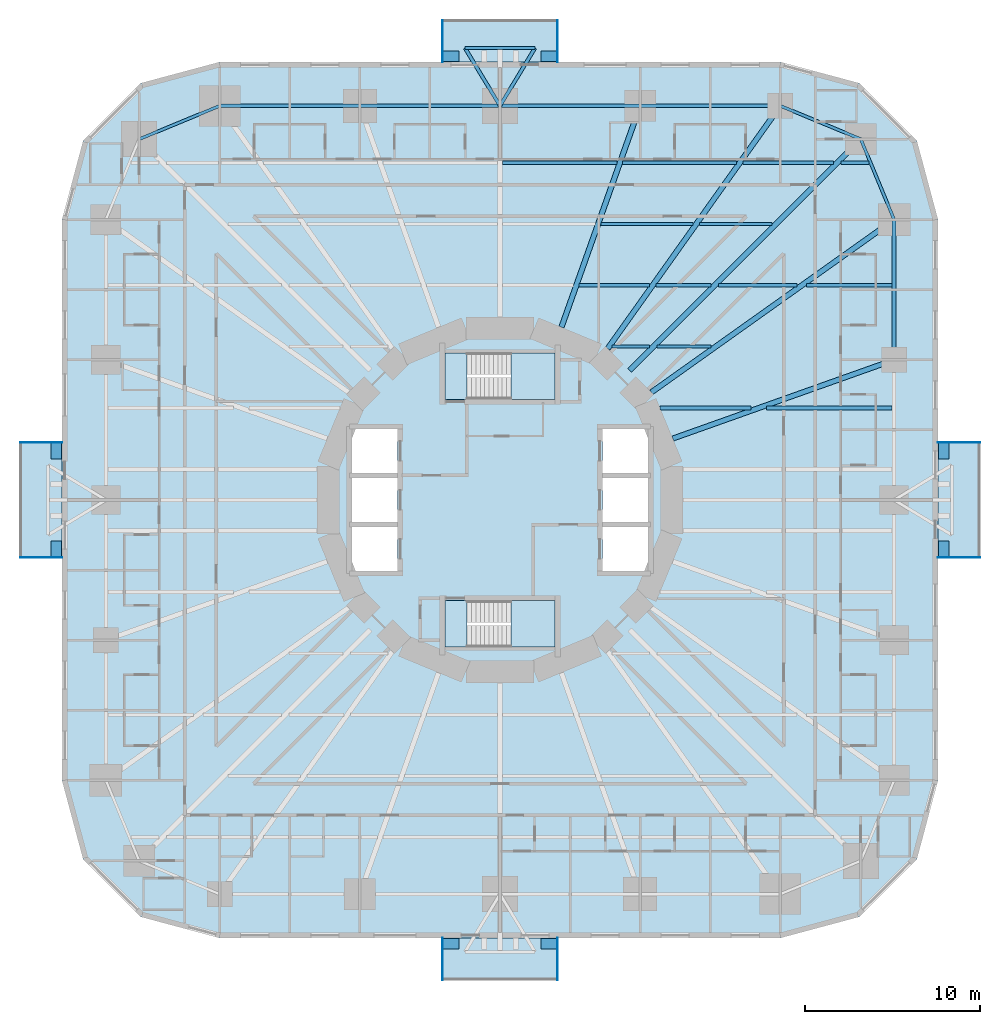
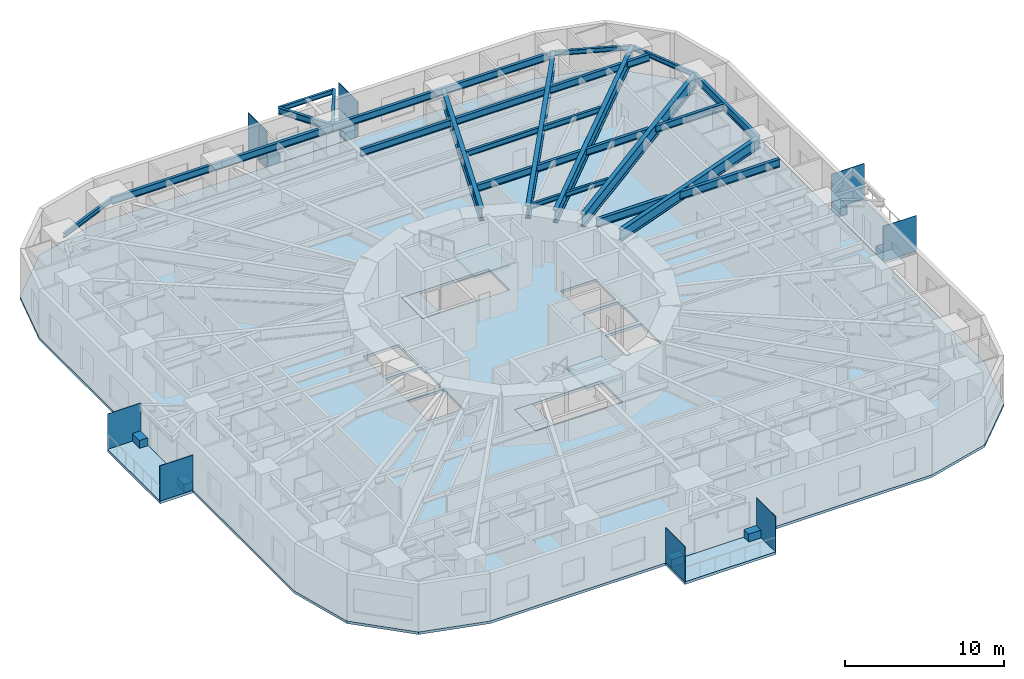
# One storey, part 3 of 14: 30 beams, 16 plates, 9 slabs, 2 elements without a shape of their own.
"""IFC4 building model written with IfcOpenShell, lengths in metres."""

from ifc_helpers import new_model, si_unit, direction, frame, origin, origin_2d, place, context, subcontext, project, spatial, polyline, rectangle, i_section, outline, extrude, material, layer, layer_set, material_profile, profile_set, type_object, element, aggregate, save


model = new_model("IFC4")

# Units and contexts
model_context = context("Model", 3, precision=1e-05, world=origin(), true_north=direction((0.0, 1.0)))
body_context = subcontext(model_context, "Body", "Model", "MODEL_VIEW")
ifc_project = project(units=[si_unit("LENGTHUNIT", "METRE"), si_unit("AREAUNIT", "SQUARE_METRE"), si_unit("VOLUMEUNIT", "CUBIC_METRE"), si_unit("PLANEANGLEUNIT", "RADIAN"), si_unit("MASSUNIT", "GRAM", prefix="KILO")], contexts=[model_context])

# Site, building, storey
site_placement = place(None, origin())
site = spatial("IfcSite", under=ifc_project, at=site_placement, CompositionType="ELEMENT")
building_placement = place(site_placement, origin())
building = spatial("IfcBuilding", under=site, at=building_placement, Name="Nakasero Lantern House", CompositionType="ELEMENT")
storey_placement = place(building_placement, frame((0.0, 0.0, 35.25)))
storey = spatial("IfcBuildingStorey", under=building, at=storey_placement, Name="L08", CompositionType="ELEMENT", Elevation=35.25)

# Beams
ifc_material_1 = material(Name="Steel S355", Category="steel")
ifc_material_profile_1 = material_profile(ifc_material_1, i_section(OverallWidth=0.199462890625, OverallDepth=0.491943359375, WebThickness=0.01806640625, FlangeThickness=0.031982421875, FilletRadius=0.01025390625, at=origin_2d()), Name="UB 457x191x161")
ifc_profile_set_1 = profile_set([ifc_material_profile_1], Name="Steel S355")
beam_type_1 = type_object("IfcBeamType", Name="Balcony splay beam UB 457x191x161", PredefinedType="BEAM", material=ifc_profile_set_1)
for number, where, z_axis, x_axis, name in (
    (1, (0.0, 22.5, 3.404052734375), (-0.518296107317, 0.855201230787, 0.0), (-0.855201230787, -0.518296107317, 0.0), "Balcony splay beam L09 B1-C09A"),
    (2, (0.0, 22.5, 3.404052734375), (0.518296107317, 0.855201230787, 0.0), (-0.855201230787, 0.518296107317, 0.0), "Balcony splay beam L09 B1-C09B"),
):
    element("IfcBeam", number, at=place(storey_placement, frame(where, z_axis=z_axis, x_axis=x_axis)), inside=storey, type_object=beam_type_1, Name=name, PredefinedType="BEAM", context=body_context, shape_type="SweptSolid", body=[
        extrude(i_section(OverallWidth=0.199462890625, OverallDepth=0.491943359375, WebThickness=0.01806640625, FlangeThickness=0.031982421875, FilletRadius=0.01025390625, at=origin_2d()), origin(), (0.0, 0.0, 1.0), 3.85888671875),
    ])
ifc_material_2 = material(Name="Steel S355", Category="steel")
ifc_material_profile_2 = material_profile(ifc_material_2, i_section(OverallWidth=0.17138671875, OverallDepth=0.35498046875, WebThickness=0.00732421875, FlangeThickness=0.011474609375, FilletRadius=0.01025390625, at=origin_2d()), Name="UB 356x171x51")
ifc_profile_set_2 = profile_set([ifc_material_profile_2], Name="Steel S355")
beam_type_2 = type_object("IfcBeamType", Name="Balcony tie beam UB 356x171x51", PredefinedType="BEAM", material=ifc_profile_set_2)
beam_1_placement = place(storey_placement, frame((-2.0, 25.800048828125, 3.472412109375), z_axis=(1.0, 0.0, 0.0), x_axis=(0.0, 1.0, 0.0)))
element("IfcBeam", 3, at=beam_1_placement, inside=storey, type_object=beam_type_2, Name="Balcony tie beam L09 B1-C09", PredefinedType="BEAM", context=body_context, shape_type="SweptSolid", body=[
    extrude(i_section(OverallWidth=0.17138671875, OverallDepth=0.35498046875, WebThickness=0.00732421875, FlangeThickness=0.011474609375, FilletRadius=0.01025390625, at=origin_2d()), origin(), (0.0, 0.0, 1.0), 4.0),
])
ifc_material_3 = material(Name="Steel S355", Category="steel")
ifc_material_profile_3 = material_profile(ifc_material_3, i_section(OverallWidth=0.17138671875, OverallDepth=0.35498046875, WebThickness=0.00732421875, FlangeThickness=0.011474609375, FilletRadius=0.01025390625, at=origin_2d()), Name="UB 356x171x51")
ifc_profile_set_3 = profile_set([ifc_material_profile_3], Name="Steel S355")
beam_type_3 = type_object("IfcBeamType", Name="Infill beam UB 356x171x51", PredefinedType="JOIST", material=ifc_profile_set_3)
beam_2_placement = place(storey_placement, frame((6.40625, 8.75, 3.472412109375), z_axis=(1.0, 0.0, 0.0), x_axis=(0.0, 1.0, 0.0)))
element("IfcBeam", 4, at=beam_2_placement, inside=storey, type_object=beam_type_3, Name="Infill beam L09 10.3", PredefinedType="JOIST", context=body_context, shape_type="SweptSolid", body=[
    extrude(i_section(OverallWidth=0.17138671875, OverallDepth=0.35498046875, WebThickness=0.00732421875, FlangeThickness=0.011474609375, FilletRadius=0.01025390625, at=origin_2d()), origin(), (0.0, 0.0, 1.0), 2.131591796875),
])
beam_3_placement = place(storey_placement, frame((8.962158203125, 8.75, 3.472412109375), z_axis=(1.0, 0.0, 0.0), x_axis=(0.0, 1.0, 0.0)))
element("IfcBeam", 5, at=beam_3_placement, inside=storey, type_object=beam_type_3, Name="Infill beam L09 10.4", PredefinedType="JOIST", context=body_context, shape_type="SweptSolid", body=[
    extrude(i_section(OverallWidth=0.17138671875, OverallDepth=0.35498046875, WebThickness=0.00732421875, FlangeThickness=0.011474609375, FilletRadius=0.01025390625, at=origin_2d()), origin(), (0.0, 0.0, 1.0), 3.083740234375),
])
ifc_material_4 = material(Name="Steel S355", Category="steel")
ifc_material_profile_4 = material_profile(ifc_material_4, i_section(OverallWidth=0.177978515625, OverallDepth=0.406494140625, WebThickness=0.0078125, FlangeThickness=0.0126953125, FilletRadius=0.01025390625, at=origin_2d()), Name="UB 406x178x60")
ifc_profile_set_4 = profile_set([ifc_material_profile_4], Name="Steel S355")
beam_type_4 = type_object("IfcBeamType", Name="Infill beam UB 406x178x60", PredefinedType="JOIST", material=ifc_profile_set_4)
beam_4_placement = place(storey_placement, frame((5.75927734375, 15.75, 3.44677734375), z_axis=(1.0, 0.0, 0.0), x_axis=(0.0, 1.0, 0.0)))
element("IfcBeam", 6, at=beam_4_placement, inside=storey, type_object=beam_type_4, Name="Infill beam L09 12.5", PredefinedType="JOIST", context=body_context, shape_type="SweptSolid", body=[
    extrude(i_section(OverallWidth=0.177978515625, OverallDepth=0.406494140625, WebThickness=0.0078125, FlangeThickness=0.0126953125, FilletRadius=0.01025390625, at=origin_2d()), origin(), (0.0, 0.0, 1.0), 5.256591796875),
])
beam_5_placement = place(storey_placement, frame((11.384033203125, 15.75, 3.44677734375), z_axis=(1.0, 0.0, 0.0), x_axis=(0.0, 1.0, 0.0)))
element("IfcBeam", 7, at=beam_5_placement, inside=storey, type_object=beam_type_4, Name="Infill beam L09 12.6", PredefinedType="JOIST", context=body_context, shape_type="SweptSolid", body=[
    extrude(i_section(OverallWidth=0.177978515625, OverallDepth=0.406494140625, WebThickness=0.0078125, FlangeThickness=0.0126953125, FilletRadius=0.01025390625, at=origin_2d()), origin(), (0.0, 0.0, 1.0), 4.15380859375),
])
ifc_material_5 = material(Name="Steel S355", Category="steel")
ifc_material_profile_5 = material_profile(ifc_material_5, i_section(OverallWidth=0.208740234375, OverallDepth=0.5283203125, WebThickness=0.009521484375, FlangeThickness=0.01318359375, FilletRadius=0.0126953125, at=origin_2d()), Name="UB 533x210x82")
ifc_profile_set_5 = profile_set([ifc_material_profile_5], Name="Steel S355")
beam_type_5 = type_object("IfcBeamType", Name="Infill beam UB 533x210x82", PredefinedType="JOIST", material=ifc_profile_set_5)
beam_6_placement = place(storey_placement, frame((4.5146484375, 12.25, 3.3857421875), z_axis=(1.0, 0.0, 0.0), x_axis=(0.0, 1.0, 0.0)))
element("IfcBeam", 8, at=beam_6_placement, inside=storey, type_object=beam_type_5, Name="Infill beam L09 11.7", PredefinedType="JOIST", context=body_context, shape_type="SweptSolid", body=[
    extrude(i_section(OverallWidth=0.208740234375, OverallDepth=0.5283203125, WebThickness=0.009521484375, FlangeThickness=0.01318359375, FilletRadius=0.0126953125, at=origin_2d()), origin(), (0.0, 0.0, 1.0), 4.012451171875),
])
beam_7_placement = place(storey_placement, frame((8.895263671875, 12.25, 3.3857421875), z_axis=(1.0, 0.0, 0.0), x_axis=(0.0, 1.0, 0.0)))
element("IfcBeam", 9, at=beam_7_placement, inside=storey, type_object=beam_type_5, Name="Infill beam L09 11.8", PredefinedType="JOIST", context=body_context, shape_type="SweptSolid", body=[
    extrude(i_section(OverallWidth=0.208740234375, OverallDepth=0.5283203125, WebThickness=0.009521484375, FlangeThickness=0.01318359375, FilletRadius=0.0126953125, at=origin_2d()), origin(), (0.0, 0.0, 1.0), 3.142578125),
])
beam_8_placement = place(storey_placement, frame((12.462158203125, 12.25, 3.3857421875), z_axis=(1.0, 0.0, 0.0), x_axis=(0.0, 1.0, 0.0)))
element("IfcBeam", 10, at=beam_8_placement, inside=storey, type_object=beam_type_5, Name="Infill beam L09 11.9", PredefinedType="JOIST", context=body_context, shape_type="SweptSolid", body=[
    extrude(i_section(OverallWidth=0.208740234375, OverallDepth=0.5283203125, WebThickness=0.009521484375, FlangeThickness=0.01318359375, FilletRadius=0.0126953125, at=origin_2d()), origin(), (0.0, 0.0, 1.0), 4.505615234375),
])
beam_9_placement = place(storey_placement, frame((17.4853515625, 12.25, 3.3857421875), z_axis=(1.0, 0.0, 0.0), x_axis=(0.0, 1.0, 0.0)))
element("IfcBeam", 11, at=beam_9_placement, inside=storey, type_object=beam_type_5, Name="Infill beam L09 11.10", PredefinedType="JOIST", context=body_context, shape_type="SweptSolid", body=[
    extrude(i_section(OverallWidth=0.208740234375, OverallDepth=0.5283203125, WebThickness=0.009521484375, FlangeThickness=0.01318359375, FilletRadius=0.0126953125, at=origin_2d()), origin(), (0.0, 0.0, 1.0), 4.900146484375),
])
beam_10_placement = place(storey_placement, frame((0.146240234375, 19.25, 3.3857421875), z_axis=(1.0, 0.0, 0.0), x_axis=(0.0, 1.0, 0.0)))
element("IfcBeam", 12, at=beam_10_placement, inside=storey, type_object=beam_type_5, Name="Infill beam L09 13.5", PredefinedType="JOIST", context=body_context, shape_type="SweptSolid", body=[
    extrude(i_section(OverallWidth=0.208740234375, OverallDepth=0.5283203125, WebThickness=0.009521484375, FlangeThickness=0.01318359375, FilletRadius=0.0126953125, at=origin_2d()), origin(), (0.0, 0.0, 1.0), 6.5390625),
])
beam_11_placement = place(storey_placement, frame((7.003662109375, 19.25, 3.3857421875), z_axis=(1.0, 0.0, 0.0), x_axis=(0.0, 1.0, 0.0)))
element("IfcBeam", 13, at=beam_11_placement, inside=storey, type_object=beam_type_5, Name="Infill beam L09 13.6", PredefinedType="JOIST", context=body_context, shape_type="SweptSolid", body=[
    extrude(i_section(OverallWidth=0.208740234375, OverallDepth=0.5283203125, WebThickness=0.009521484375, FlangeThickness=0.01318359375, FilletRadius=0.0126953125, at=origin_2d()), origin(), (0.0, 0.0, 1.0), 6.501220703125),
])
beam_12_placement = place(storey_placement, frame((13.873046875, 19.25, 3.3857421875), z_axis=(1.0, 0.0, 0.0), x_axis=(0.0, 1.0, 0.0)))
element("IfcBeam", 14, at=beam_12_placement, inside=storey, type_object=beam_type_5, Name="Infill beam L09 13.7", PredefinedType="JOIST", context=body_context, shape_type="SweptSolid", body=[
    extrude(i_section(OverallWidth=0.208740234375, OverallDepth=0.5283203125, WebThickness=0.009521484375, FlangeThickness=0.01318359375, FilletRadius=0.0126953125, at=origin_2d()), origin(), (0.0, 0.0, 1.0), 5.164794921875),
])
beam_13_placement = place(storey_placement, frame((19.462158203125, 19.25, 3.3857421875), z_axis=(1.0, 0.0, 0.0), x_axis=(0.0, 1.0, 0.0)))
element("IfcBeam", 15, at=beam_13_placement, inside=storey, type_object=beam_type_5, Name="Infill beam L09 13.8", PredefinedType="JOIST", context=body_context, shape_type="SweptSolid", body=[
    extrude(i_section(OverallWidth=0.208740234375, OverallDepth=0.5283203125, WebThickness=0.009521484375, FlangeThickness=0.01318359375, FilletRadius=0.0126953125, at=origin_2d()), origin(), (0.0, 0.0, 1.0), 1.598876953125),
])
ifc_material_6 = material(Name="Steel S355", Category="steel")
ifc_material_profile_6 = material_profile(ifc_material_6, i_section(OverallWidth=0.2275390625, OverallDepth=0.6025390625, WebThickness=0.010498046875, FlangeThickness=0.014892578125, FilletRadius=0.0126953125, at=origin_2d()), Name="UB 610x229x101")
ifc_profile_set_6 = profile_set([ifc_material_profile_6], Name="Steel S355")
beam_type_6 = type_object("IfcBeamType", Name="Infill beam UB 610x229x101", PredefinedType="JOIST", material=ifc_profile_set_6)
beam_14_placement = place(storey_placement, frame((9.144775390625, 5.25, 3.3486328125), z_axis=(1.0, 0.0, 0.0), x_axis=(0.0, 1.0, 0.0)))
element("IfcBeam", 16, at=beam_14_placement, inside=storey, type_object=beam_type_6, Name="Infill beam L09 09.3", PredefinedType="JOIST", context=body_context, shape_type="SweptSolid", body=[
    extrude(i_section(OverallWidth=0.2275390625, OverallDepth=0.6025390625, WebThickness=0.010498046875, FlangeThickness=0.014892578125, FilletRadius=0.0126953125, at=origin_2d()), origin(), (0.0, 0.0, 1.0), 5.184326171875),
])
beam_15_placement = place(storey_placement, frame((15.2021484375, 5.25, 3.3486328125), z_axis=(1.0, 0.0, 0.0), x_axis=(0.0, 1.0, 0.0)))
element("IfcBeam", 17, at=beam_15_placement, inside=storey, type_object=beam_type_6, Name="Infill beam L09 09.4", PredefinedType="JOIST", context=body_context, shape_type="SweptSolid", body=[
    extrude(i_section(OverallWidth=0.2275390625, OverallDepth=0.6025390625, WebThickness=0.010498046875, FlangeThickness=0.014892578125, FilletRadius=0.0126953125, at=origin_2d()), origin(), (0.0, 0.0, 1.0), 7.183349609375),
])
ifc_material_7 = material(Name="Steel S355", Category="steel")
ifc_material_profile_7 = material_profile(ifc_material_7, i_section(OverallWidth=0.300048828125, OverallDepth=0.97021484375, WebThickness=0.01611328125, FlangeThickness=0.02099609375, FilletRadius=0.030029296875, at=origin_2d()), Name="UB 1016x305x222")
ifc_profile_set_7 = profile_set([ifc_material_profile_7], Name="Steel S355")
beam_type_7 = type_object("IfcBeamType", Name="Primary beam UB 1016x305x222, span 12 to 15 m", PredefinedType="BEAM", material=ifc_profile_set_7)
beam_16_placement = place(storey_placement, frame((8.0, 22.5, 3.164794921875), z_axis=(-0.335010745293, -0.942214307118, 0.0), x_axis=(0.942214307118, -0.335010745293, 0.0)))
element("IfcBeam", 18, at=beam_16_placement, inside=storey, type_object=beam_type_7, Name="Primary beam L09 B1-C08", PredefinedType="BEAM", context=body_context, shape_type="SweptSolid", body=[
    extrude(i_section(OverallWidth=0.300048828125, OverallDepth=0.97021484375, WebThickness=0.01611328125, FlangeThickness=0.02099609375, FilletRadius=0.030029296875, at=origin_2d()), origin(), (0.0, 0.0, 1.0), 13.408447265625),
])
ifc_material_8 = material(Name="Steel S355", Category="steel")
ifc_material_profile_8 = material_profile(ifc_material_8, i_section(OverallWidth=0.300048828125, OverallDepth=0.989990234375, WebThickness=0.0166015625, FlangeThickness=0.031005859375, FilletRadius=0.030029296875, at=origin_2d()), Name="UB 1016x305x272")
ifc_profile_set_8 = profile_set([ifc_material_profile_8], Name="Steel S355")
beam_type_8 = type_object("IfcBeamType", Name="Primary beam UB 1016x305x272, span over 15 m", PredefinedType="BEAM", material=ifc_profile_set_8)
beam_17_placement = place(storey_placement, frame((22.5, 16.0, 3.155029296875), z_axis=(-0.814952159915, -0.579528236629, 0.0), x_axis=(0.579528236629, -0.814952159915, 0.0)))
element("IfcBeam", 19, at=beam_17_placement, inside=storey, type_object=beam_type_8, Name="Primary beam L09 B1-C05", PredefinedType="BEAM", context=body_context, shape_type="SweptSolid", body=[
    extrude(i_section(OverallWidth=0.300048828125, OverallDepth=0.989990234375, WebThickness=0.0166015625, FlangeThickness=0.031005859375, FilletRadius=0.030029296875, at=origin_2d()), origin(), (0.0, 0.0, 1.0), 17.003173828125),
])
beam_18_placement = place(storey_placement, frame((20.59619140625, 20.59619140625, 3.155029296875), z_axis=(-0.707106781187, -0.707106781187, 0.0), x_axis=(0.707106781187, -0.707106781187, 0.0)))
element("IfcBeam", 20, at=beam_18_placement, inside=storey, type_object=beam_type_8, Name="Primary beam L09 B1-C06", PredefinedType="BEAM", context=body_context, shape_type="SweptSolid", body=[
    extrude(i_section(OverallWidth=0.300048828125, OverallDepth=0.989990234375, WebThickness=0.0166015625, FlangeThickness=0.031005859375, FilletRadius=0.030029296875, at=origin_2d()), origin(), (0.0, 0.0, 1.0), 18.669677734375),
])
ifc_material_9 = material(Name="Steel S355", Category="steel")
ifc_material_profile_9 = material_profile(ifc_material_9, i_section(OverallWidth=0.300048828125, OverallDepth=1.0, WebThickness=0.01904296875, FlangeThickness=0.035888671875, FilletRadius=0.030029296875, at=origin_2d()), Name="UB 1016x305x314")
ifc_profile_set_9 = profile_set([ifc_material_profile_9], Name="Steel S355")
beam_type_9 = type_object("IfcBeamType", Name="Primary beam UB 1016x305x314, span over 15 m", PredefinedType="BEAM", material=ifc_profile_set_9)
beam_19_placement = place(storey_placement, frame((16.0, 22.5, 3.150146484375), z_axis=(-0.579528236629, -0.814952159915, 0.0), x_axis=(0.814952159915, -0.579528236629, 0.0)))
element("IfcBeam", 21, at=beam_19_placement, inside=storey, type_object=beam_type_9, Name="Primary beam L09 B1-C07", PredefinedType="BEAM", context=body_context, shape_type="SweptSolid", body=[
    extrude(i_section(OverallWidth=0.300048828125, OverallDepth=1.0, WebThickness=0.01904296875, FlangeThickness=0.035888671875, FilletRadius=0.030029296875, at=origin_2d()), origin(), (0.0, 0.0, 1.0), 17.003173828125),
])
ifc_material_10 = material(Name="Steel S355", Category="steel")
ifc_material_profile_10 = material_profile(ifc_material_10, i_section(OverallWidth=0.29248046875, OverallDepth=0.8408203125, WebThickness=0.0146484375, FlangeThickness=0.02685546875, FilletRadius=0.017822265625, at=origin_2d()), Name="UB 838x292x194")
ifc_profile_set_10 = profile_set([ifc_material_profile_10], Name="Steel S355")
beam_type_10 = type_object("IfcBeamType", Name="Primary beam UB 838x292x194, span 12 to 15 m", PredefinedType="BEAM", material=ifc_profile_set_10)
beam_20_placement = place(storey_placement, frame((22.5, 8.0, 3.229736328125), z_axis=(-0.942214307118, -0.335010745293, 0.0), x_axis=(0.335010745293, -0.942214307118, 0.0)))
element("IfcBeam", 22, at=beam_20_placement, inside=storey, type_object=beam_type_10, Name="Primary beam L09 B1-C04", PredefinedType="BEAM", context=body_context, shape_type="SweptSolid", body=[
    extrude(i_section(OverallWidth=0.29248046875, OverallDepth=0.8408203125, WebThickness=0.0146484375, FlangeThickness=0.02685546875, FilletRadius=0.017822265625, at=origin_2d()), origin(), (0.0, 0.0, 1.0), 13.408447265625),
])
ifc_material_11 = material(Name="Steel S355", Category="steel")
ifc_material_profile_11 = material_profile(ifc_material_11, i_section(OverallWidth=0.17138671875, OverallDepth=0.35498046875, WebThickness=0.00732421875, FlangeThickness=0.011474609375, FilletRadius=0.01025390625, at=origin_2d()), Name="UB 356x171x51")
ifc_profile_set_11 = profile_set([ifc_material_profile_11], Name="Steel S355")
beam_type_11 = type_object("IfcBeamType", Name="Ring beam UB 356x171x51", PredefinedType="BEAM", material=ifc_profile_set_11)
for number, where, z_axis, x_axis, name in (
    (23, (22.5, 16.0, 3.472412109375), (-0.382684080569, 0.923879264016, 0.0), (-0.923879264016, -0.382684080569, 0.0), "Ring beam L09 B1-C05"),
    (24, (20.59619140625, 20.59619140625, 3.472412109375), (-0.923879264016, 0.382684080569, 0.0), (-0.382684080569, -0.923879264016, 0.0), "Ring beam L09 B1-C06"),
    (25, (-16.0, 22.5, 3.472412109375), (-0.923879264016, -0.382684080569, 0.0), (0.382684080569, -0.923879264016, 0.0), "Ring beam L09 B1-C11"),
):
    element("IfcBeam", number, at=place(storey_placement, frame(where, z_axis=z_axis, x_axis=x_axis)), inside=storey, type_object=beam_type_11, Name=name, PredefinedType="BEAM", context=body_context, shape_type="SweptSolid", body=[
        extrude(i_section(OverallWidth=0.17138671875, OverallDepth=0.35498046875, WebThickness=0.00732421875, FlangeThickness=0.011474609375, FilletRadius=0.01025390625, at=origin_2d()), origin(), (0.0, 0.0, 1.0), 4.974853515625),
    ])
ifc_material_12 = material(Name="Steel S355", Category="steel")
ifc_material_profile_12 = material_profile(ifc_material_12, i_section(OverallWidth=0.2099609375, OverallDepth=0.53662109375, WebThickness=0.0107421875, FlangeThickness=0.017333984375, FilletRadius=0.0126953125, at=origin_2d()), Name="UB 533x210x101")
ifc_profile_set_12 = profile_set([ifc_material_profile_12], Name="Steel S355")
beam_type_12 = type_object("IfcBeamType", Name="Ring beam UB 533x210x101", PredefinedType="BEAM", material=ifc_profile_set_12)
for number, where, z_axis, x_axis, name in (
    (26, (16.0, 22.5, 3.381591796875), (-1.0, 0.0, 0.0), (0.0, -1.0, 0.0), "Ring beam L09 B1-C07"),
    (27, (8.0, 22.5, 3.381591796875), (-1.0, 0.0, 0.0), (0.0, -1.0, 0.0), "Ring beam L09 B1-C08"),
    (28, (0.0, 22.5, 3.381591796875), (-1.0, 0.0, 0.0), (0.0, -1.0, 0.0), "Ring beam L09 B1-C09"),
    (29, (-8.0, 22.5, 3.381591796875), (-1.0, 0.0, 0.0), (0.0, -1.0, 0.0), "Ring beam L09 B1-C10"),
):
    element("IfcBeam", number, at=place(storey_placement, frame(where, z_axis=z_axis, x_axis=x_axis)), inside=storey, type_object=beam_type_12, Name=name, PredefinedType="BEAM", context=body_context, shape_type="SweptSolid", body=[
        extrude(i_section(OverallWidth=0.2099609375, OverallDepth=0.53662109375, WebThickness=0.0107421875, FlangeThickness=0.017333984375, FilletRadius=0.0126953125, at=origin_2d()), origin(), (0.0, 0.0, 1.0), 8.0),
    ])
ifc_material_13 = material(Name="Steel S355", Category="steel")
ifc_material_profile_13 = material_profile(ifc_material_13, i_section(OverallWidth=0.22900390625, OverallDepth=0.6123046875, WebThickness=0.011962890625, FlangeThickness=0.01953125, FilletRadius=0.0126953125, at=origin_2d()), Name="UB 610x229x125")
ifc_profile_set_13 = profile_set([ifc_material_profile_13], Name="Steel S355")
beam_type_13 = type_object("IfcBeamType", Name="Ring beam UB 610x229x125", PredefinedType="BEAM", material=ifc_profile_set_13)
beam_21_placement = place(storey_placement, frame((22.5, 8.0, 3.343994140625), z_axis=(0.0, 1.0, 0.0), x_axis=(-1.0, 0.0, 0.0)))
element("IfcBeam", 30, at=beam_21_placement, inside=storey, type_object=beam_type_13, Name="Ring beam L09 B1-C04", PredefinedType="BEAM", context=body_context, shape_type="SweptSolid", body=[
    extrude(i_section(OverallWidth=0.22900390625, OverallDepth=0.6123046875, WebThickness=0.011962890625, FlangeThickness=0.01953125, FilletRadius=0.0126953125, at=origin_2d()), origin(), (0.0, 0.0, 1.0), 8.0),
])

# Plates
ifc_material_14 = material(Name="Aluminium 6063-T6", Category="aluminium")
ifc_layer_1 = layer(ifc_material_14, 0.60009765625)
ifc_layer_set_1 = layer_set([ifc_layer_1], Name="Balcony planter 600x900")
plate_type_1 = type_object("IfcPlateType", Name="Balcony planter 600x900", PredefinedType="USERDEFINED", material=ifc_layer_set_1)
for number, where, z_axis, x_axis, name in (
    (31, (25.320068359375, -2.7900390625, 0.0), (0.0, 0.0, 1.0), (1.0, 0.0, 0.0), "Balcony PLANTER L08 BAL0A"),
    (32, (25.320068359375, 2.7900390625, 0.0), (0.0, 0.0, 1.0), (1.0, 0.0, 0.0), "Balcony PLANTER L08 BAL0B"),
    (33, (2.7900390625, 25.320068359375, 0.0), (0.0, 0.0, 1.0), (0.0, 1.0, 0.0), "Balcony PLANTER L08 BAL1A"),
    (34, (-2.7900390625, 25.320068359375, 0.0), (0.0, 0.0, 1.0), (0.0, 1.0, 0.0), "Balcony PLANTER L08 BAL1B"),
    (35, (-25.320068359375, 2.7900390625, 0.0), (0.0, 0.0, 1.0), (-1.0, 0.0, 0.0), "Balcony PLANTER L08 BAL2A"),
    (36, (-25.320068359375, -2.7900390625, 0.0), (0.0, 0.0, 1.0), (-1.0, 0.0, 0.0), "Balcony PLANTER L08 BAL2B"),
    (37, (-2.7900390625, -25.320068359375, 0.0), (0.0, 0.0, 1.0), (0.0, -1.0, 0.0), "Balcony PLANTER L08 BAL3A"),
    (38, (2.7900390625, -25.320068359375, 0.0), (0.0, 0.0, 1.0), (0.0, -1.0, 0.0), "Balcony PLANTER L08 BAL3B"),
):
    element("IfcPlate", number, at=place(storey_placement, frame(where, z_axis=z_axis, x_axis=x_axis)), inside=storey, type_object=plate_type_1, Name=name, ObjectType="PLANTER", PredefinedType="USERDEFINED", context=body_context, shape_type="SweptSolid", body=[
        extrude(rectangle(XDim=0.60009765625, YDim=0.89990234375, at=origin_2d()), origin(), (0.0, 0.0, 1.0), 0.60009765625),
    ])
ifc_material_15 = material(Name="Aluminium 6063-T6", Category="aluminium")
ifc_layer_2 = layer(ifc_material_15, 0.0400390625)
ifc_layer_set_2 = layer_set([ifc_layer_2], Name="Balcony screen 2400x2700")
plate_type_2 = type_object("IfcPlateType", Name="Balcony screen 2400x2700", PredefinedType="SHEET", material=ifc_layer_set_2)
for number, where, z_axis, x_axis, name in (
    (39, (26.199951171875, -3.280029296875, 0.0), (0.0, 0.0, 1.0), (1.0, 0.0, 0.0), "Balcony SCREEN L08 BAL0A"),
    (40, (26.199951171875, 3.280029296875, 0.0), (0.0, 0.0, 1.0), (1.0, 0.0, 0.0), "Balcony SCREEN L08 BAL0B"),
    (41, (3.280029296875, 26.199951171875, 0.0), (0.0, 0.0, 1.0), (0.0, 1.0, 0.0), "Balcony SCREEN L08 BAL1A"),
    (42, (-3.280029296875, 26.199951171875, 0.0), (0.0, 0.0, 1.0), (0.0, 1.0, 0.0), "Balcony SCREEN L08 BAL1B"),
    (43, (-26.199951171875, 3.280029296875, 0.0), (0.0, 0.0, 1.0), (-1.0, 0.0, 0.0), "Balcony SCREEN L08 BAL2A"),
    (44, (-26.199951171875, -3.280029296875, 0.0), (0.0, 0.0, 1.0), (-1.0, 0.0, 0.0), "Balcony SCREEN L08 BAL2B"),
    (45, (-3.280029296875, -26.199951171875, 0.0), (0.0, 0.0, 1.0), (0.0, -1.0, 0.0), "Balcony SCREEN L08 BAL3A"),
    (46, (3.280029296875, -26.199951171875, 0.0), (0.0, 0.0, 1.0), (0.0, -1.0, 0.0), "Balcony SCREEN L08 BAL3B"),
):
    element("IfcPlate", number, at=place(storey_placement, frame(where, z_axis=z_axis, x_axis=x_axis)), inside=storey, type_object=plate_type_2, Name=name, PredefinedType="SHEET", context=body_context, shape_type="SweptSolid", body=[
        extrude(rectangle(XDim=2.39990234375, YDim=0.0400390625, at=origin_2d()), origin(), (0.0, 0.0, 1.0), 2.699951171875),
    ])

# Slabs
ifc_material_16 = material(Name="Concrete C35/45", Category="concrete")
ifc_layer_3 = layer(ifc_material_16, 0.199951171875)
ifc_layer_set_3 = layer_set([ifc_layer_3], Name="Balcony slab 200")
slab_type_1 = type_object("IfcSlabType", Name="Balcony slab 200", PredefinedType="USERDEFINED", material=ifc_layer_set_3)
slab_1_placement = place(storey_placement, frame((0.0, 0.0, -0.199951171875)))
element("IfcSlab", 47, at=slab_1_placement, inside=storey, type_object=slab_type_1, Name="Balcony L08 BAL0", ObjectType="BALCONY", PredefinedType="USERDEFINED", context=body_context, shape_type="SweptSolid", body=[
    extrude(outline(polyline([(25.0, -3.300048828125), (27.39990234375, -3.300048828125), (27.39990234375, 3.300048828125), (25.0, 3.300048828125), (25.0, -3.300048828125)])), origin(), (0.0, 0.0, 1.0), 0.199951171875),
])
slab_2_placement = place(storey_placement, frame((0.0, 0.0, -0.199951171875)))
element("IfcSlab", 48, at=slab_2_placement, inside=storey, type_object=slab_type_1, Name="Balcony L08 BAL1", ObjectType="BALCONY", PredefinedType="USERDEFINED", context=body_context, shape_type="SweptSolid", body=[
    extrude(outline(polyline([(3.300048828125, 25.0), (3.300048828125, 27.39990234375), (-3.300048828125, 27.39990234375), (-3.300048828125, 25.0), (3.300048828125, 25.0)])), origin(), (0.0, 0.0, 1.0), 0.199951171875),
])
slab_3_placement = place(storey_placement, frame((0.0, 0.0, -0.199951171875)))
element("IfcSlab", 49, at=slab_3_placement, inside=storey, type_object=slab_type_1, Name="Balcony L08 BAL2", ObjectType="BALCONY", PredefinedType="USERDEFINED", context=body_context, shape_type="SweptSolid", body=[
    extrude(outline(polyline([(-25.0, 3.300048828125), (-27.39990234375, 3.300048828125), (-27.39990234375, -3.300048828125), (-25.0, -3.300048828125), (-25.0, 3.300048828125)])), origin(), (0.0, 0.0, 1.0), 0.199951171875),
])
slab_4_placement = place(storey_placement, frame((0.0, 0.0, -0.199951171875)))
element("IfcSlab", 50, at=slab_4_placement, inside=storey, type_object=slab_type_1, Name="Balcony L08 BAL3", ObjectType="BALCONY", PredefinedType="USERDEFINED", context=body_context, shape_type="SweptSolid", body=[
    extrude(outline(polyline([(-3.300048828125, -25.0), (-3.300048828125, -27.39990234375), (3.300048828125, -27.39990234375), (3.300048828125, -25.0), (-3.300048828125, -25.0)])), origin(), (0.0, 0.0, 1.0), 0.199951171875),
])
ifc_material_17 = material(Name="Concrete C35/45", Category="concrete")
ifc_layer_4 = layer(ifc_material_17, 0.199951171875)
ifc_layer_set_4 = layer_set([ifc_layer_4], Name="Composite floor slab 200")
slab_type_2 = type_object("IfcSlabType", Name="Composite floor slab 200", PredefinedType="FLOOR", material=ifc_layer_set_4)
slab_5_placement = place(storey_placement, frame((0.0, 0.0, -0.199951171875)))
element("IfcSlab", 51, at=slab_5_placement, inside=storey, type_object=slab_type_2, Name="Floor slab L08", PredefinedType="FLOOR", context=body_context, shape_type="SweptSolid", body=[
    extrude(outline(polyline([(25.0, 16.0), (23.794189453125, 20.5), (20.5, 23.794189453125), (16.0, 25.0), (-16.0, 25.0), (-20.5, 23.794189453125), (-23.794189453125, 20.5), (-25.0, 16.0), (-25.0, -16.0), (-23.794189453125, -20.5), (-20.5, -23.794189453125), (-16.0, -25.0), (16.0, -25.0), (20.5, -23.794189453125), (23.794189453125, -20.5), (25.0, -16.0), (25.0, 16.0)]), holes=[polyline([(-8.449951171875, -4.050048828125), (-5.85009765625, -4.050048828125), (-5.85009765625, -1.550048828125), (-8.449951171875, -1.550048828125), (-8.449951171875, -4.050048828125)]), polyline([(-8.449951171875, -1.25), (-5.85009765625, -1.25), (-5.85009765625, 1.25), (-8.449951171875, 1.25), (-8.449951171875, -1.25)]), polyline([(-8.449951171875, 1.550048828125), (-5.85009765625, 1.550048828125), (-5.85009765625, 4.050048828125), (-8.449951171875, 4.050048828125), (-8.449951171875, 1.550048828125)]), polyline([(5.85009765625, -4.050048828125), (8.449951171875, -4.050048828125), (8.449951171875, -1.550048828125), (5.85009765625, -1.550048828125), (5.85009765625, -4.050048828125)]), polyline([(5.85009765625, -1.25), (8.449951171875, -1.25), (8.449951171875, 1.25), (5.85009765625, 1.25), (5.85009765625, -1.25)]), polyline([(5.85009765625, 1.550048828125), (8.449951171875, 1.550048828125), (8.449951171875, 4.050048828125), (5.85009765625, 4.050048828125), (5.85009765625, 1.550048828125)]), polyline([(-3.14990234375, 5.75), (3.14990234375, 5.75), (3.14990234375, 8.39990234375), (-3.14990234375, 8.39990234375), (-3.14990234375, 5.75)]), polyline([(-3.14990234375, -8.39990234375), (3.14990234375, -8.39990234375), (3.14990234375, -5.75), (-3.14990234375, -5.75), (-3.14990234375, -8.39990234375)])]), origin(), (0.0, 0.0, 1.0), 0.199951171875),
])

# Stair, slabs
ifc_material_18 = material(Name="Concrete C40/50", Category="concrete")
stair_type_1 = type_object("IfcStairType", Name="Escape stair ST1 22 risers", PredefinedType="HALF_TURN_STAIR", material=ifc_material_18)
stair_1_placement = place(storey_placement, origin())
stair_1 = element("IfcStair", 52, at=stair_1_placement, inside=storey, type_object=stair_type_1, Name="Escape stair ST1 L08", PredefinedType="HALF_TURN_STAIR")
ifc_material_19 = material(Name="Concrete C40/50", Category="concrete")
ifc_layer_5 = layer(ifc_material_19, 0.199951171875)
ifc_layer_set_5 = layer_set([ifc_layer_5], Name="Stair landing 200")
slab_type_3 = type_object("IfcSlabType", Name="Stair landing 200", PredefinedType="LANDING", material=ifc_layer_set_5)
slab_6_placement = place(storey_placement, frame((0.0, 0.0, -0.199951171875)))
slab_6 = element("IfcSlab", 53, at=slab_6_placement, type_object=slab_type_3, Name="ST1 landing 1", PredefinedType="LANDING", context=body_context, shape_type="SweptSolid", body=[
    extrude(outline(polyline([(-3.14990234375, 5.75), (-1.875, 5.75), (-1.875, 8.39990234375), (-3.14990234375, 8.39990234375), (-3.14990234375, 5.75)])), origin(), (0.0, 0.0, 1.0), 0.199951171875),
])
slab_7_placement = place(storey_placement, frame((0.0, 0.0, 1.72509765625)))
slab_7 = element("IfcSlab", 54, at=slab_7_placement, type_object=slab_type_3, Name="ST1 landing 2", PredefinedType="LANDING", context=body_context, shape_type="SweptSolid", body=[
    extrude(outline(polyline([(0.625, 5.75), (3.14990234375, 5.75), (3.14990234375, 8.39990234375), (0.625, 8.39990234375), (0.625, 5.75)])), origin(), (0.0, 0.0, 1.0), 0.199951171875),
])
aggregate(stair_1, [slab_6, slab_7])

ifc_material_20 = material(Name="Concrete C40/50", Category="concrete")
stair_type_2 = type_object("IfcStairType", Name="Escape stair ST2 22 risers", PredefinedType="HALF_TURN_STAIR", material=ifc_material_20)
stair_2_placement = place(storey_placement, origin())
stair_2 = element("IfcStair", 55, at=stair_2_placement, inside=storey, type_object=stair_type_2, Name="Escape stair ST2 L08", PredefinedType="HALF_TURN_STAIR")
slab_8_placement = place(storey_placement, frame((0.0, 0.0, -0.199951171875)))
slab_8 = element("IfcSlab", 56, at=slab_8_placement, type_object=slab_type_3, Name="ST2 landing 1", PredefinedType="LANDING", context=body_context, shape_type="SweptSolid", body=[
    extrude(outline(polyline([(-3.14990234375, -8.39990234375), (-1.875, -8.39990234375), (-1.875, -5.75), (-3.14990234375, -5.75), (-3.14990234375, -8.39990234375)])), origin(), (0.0, 0.0, 1.0), 0.199951171875),
])
slab_9_placement = place(storey_placement, frame((0.0, 0.0, 1.72509765625)))
slab_9 = element("IfcSlab", 57, at=slab_9_placement, type_object=slab_type_3, Name="ST2 landing 2", PredefinedType="LANDING", context=body_context, shape_type="SweptSolid", body=[
    extrude(outline(polyline([(0.625, -8.39990234375), (3.14990234375, -8.39990234375), (3.14990234375, -5.75), (0.625, -5.75), (0.625, -8.39990234375)])), origin(), (0.0, 0.0, 1.0), 0.199951171875),
])
aggregate(stair_2, [slab_8, slab_9])

save(model, "model.ifc")
